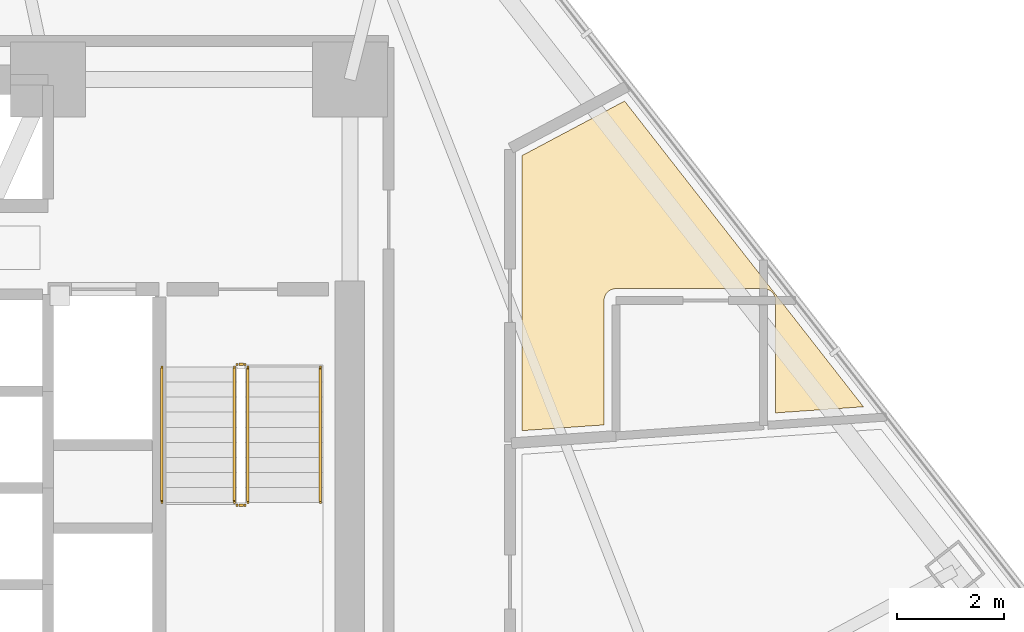
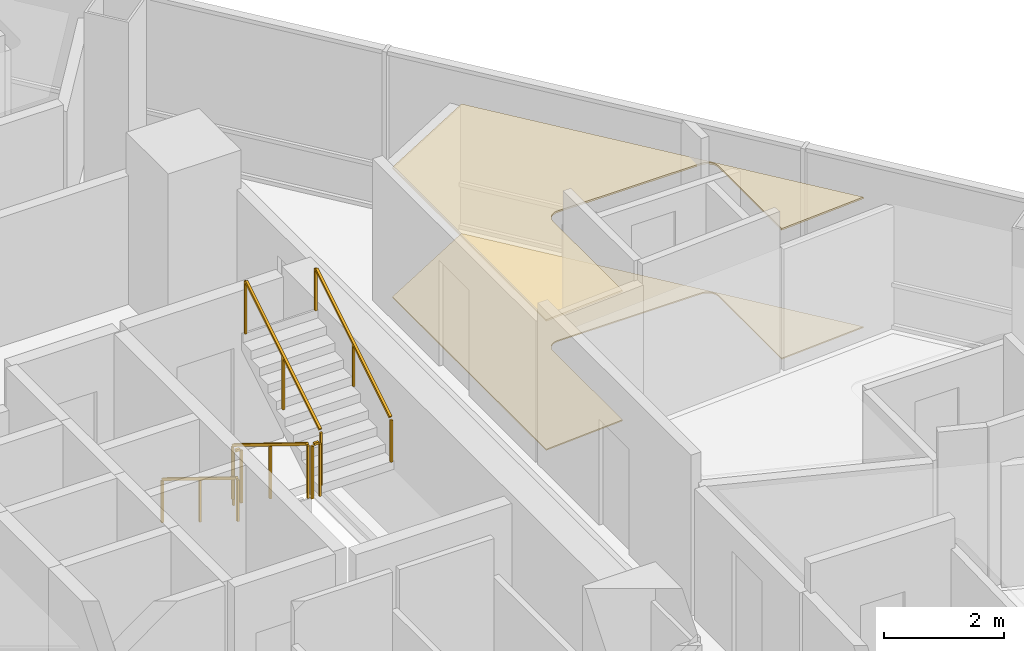
# One storey, part 15 of 16: 6 railings, 2 coverings.
"""IFC4 building model written with IfcOpenShell, lengths in metres."""

from ifc_helpers import new_model, si_unit, direction, frame, origin, origin_2d, place, context, subcontext, project, spatial, polyline, rectangle, outline, extrude, material, layer, layer_set, type_object, element, save


model = new_model("IFC4")

# Units and contexts
model_context = context("Model", 3, precision=1e-05, world=origin(), true_north=direction((0.0, 1.0)))
body_context = subcontext(model_context, "Body", "Model", "MODEL_VIEW")
ifc_project = project(units=[si_unit("LENGTHUNIT", "METRE"), si_unit("AREAUNIT", "SQUARE_METRE"), si_unit("VOLUMEUNIT", "CUBIC_METRE"), si_unit("PLANEANGLEUNIT", "RADIAN"), si_unit("MASSUNIT", "GRAM", prefix="KILO")], contexts=[model_context])

# Site, building, storey
site_placement = place(None, origin())
site = spatial("IfcSite", under=ifc_project, at=site_placement, CompositionType="ELEMENT")
building_placement = place(site_placement, origin())
building = spatial("IfcBuilding", under=site, at=building_placement, Name="Tharavind Bronze Gate", CompositionType="ELEMENT")
storey_placement = place(building_placement, frame((0.0, 0.0, 70.75)))
storey = spatial("IfcBuildingStorey", under=building, at=storey_placement, Name="L17", CompositionType="ELEMENT", Elevation=70.75)

# Coverings
ifc_material_1 = material(Name="Engineered Oak & Carpet Tile", Category="wood")
ifc_layer_1 = layer(ifc_material_1, 0.02490234375)
ifc_layer_set_1 = layer_set([ifc_layer_1], Name="Engineered Oak & Carpet Tile")
covering_type_1 = type_object("IfcCoveringType", Name="ENGINEERED TIMBER FLOORING", PredefinedType="FLOORING", material=ifc_layer_set_1)
covering_1_placement = place(storey_placement, origin())
element("IfcCovering", 1, at=covering_1_placement, inside=storey, type_object=covering_type_1, Name="L17-RM-01 floor finish", PredefinedType="FLOORING", context=body_context, shape_type="SweptSolid", body=[
    extrude(outline(polyline([(13.6298828125, 1.173583984375), (13.6298828125, 3.489013671875), (13.631103515625, 3.5107421875), (13.63427734375, 3.531982421875), (13.639404296875, 3.552978515625), (13.646728515625, 3.5732421875), (13.656005859375, 3.5927734375), (13.6669921875, 3.611328125), (13.679931640625, 3.628662109375), (13.6943359375, 3.644775390625), (13.71044921875, 3.6591796875), (13.727783203125, 3.672119140625), (13.746337890625, 3.68310546875), (13.765869140625, 3.6923828125), (13.7861328125, 3.69970703125), (13.80712890625, 3.704833984375), (13.828369140625, 3.7080078125), (13.85009765625, 3.708984375), (16.60009765625, 3.708984375), (16.62158203125, 3.7080078125), (16.642822265625, 3.704833984375), (16.663818359375, 3.69970703125), (16.68408203125, 3.6923828125), (16.70361328125, 3.68310546875), (16.72216796875, 3.672119140625), (16.739501953125, 3.6591796875), (16.755615234375, 3.644775390625), (16.77001953125, 3.628662109375), (16.782958984375, 3.611328125), (16.7939453125, 3.5927734375), (16.80322265625, 3.5732421875), (16.810546875, 3.552978515625), (16.81591796875, 3.531982421875), (16.81884765625, 3.5107421875), (16.820068359375, 3.489013671875), (16.820068359375, 1.396728515625), (18.457275390625, 1.51123046875), (14.01171875, 7.200927734375), (12.10009765625, 6.1845703125), (12.10009765625, 1.066650390625), (13.6298828125, 1.173583984375)])), origin(), (0.0, 0.0, 1.0), 0.02490234375),
])
ifc_material_2 = material(Name="Acoustic Gypsum Board", Category="gypsum")
ifc_layer_2 = layer(ifc_material_2, 0.030029296875)
ifc_layer_set_2 = layer_set([ifc_layer_2], Name="Acoustic Gypsum Board")
covering_type_2 = type_object("IfcCoveringType", Name="GYPSUM SUSPENDED CEILING", PredefinedType="CEILING", material=ifc_layer_set_2)
covering_2_placement = place(storey_placement, frame((0.0, 0.0, 2.625)))
element("IfcCovering", 2, at=covering_2_placement, inside=storey, type_object=covering_type_2, Name="L17-RM-01 suspended ceiling", PredefinedType="CEILING", context=body_context, shape_type="SweptSolid", body=[
    extrude(outline(polyline([(13.6298828125, 1.173583984375), (13.6298828125, 3.489013671875), (13.631103515625, 3.5107421875), (13.63427734375, 3.531982421875), (13.639404296875, 3.552978515625), (13.646728515625, 3.5732421875), (13.656005859375, 3.5927734375), (13.6669921875, 3.611328125), (13.679931640625, 3.628662109375), (13.6943359375, 3.644775390625), (13.71044921875, 3.6591796875), (13.727783203125, 3.672119140625), (13.746337890625, 3.68310546875), (13.765869140625, 3.6923828125), (13.7861328125, 3.69970703125), (13.80712890625, 3.704833984375), (13.828369140625, 3.7080078125), (13.85009765625, 3.708984375), (16.60009765625, 3.708984375), (16.62158203125, 3.7080078125), (16.642822265625, 3.704833984375), (16.663818359375, 3.69970703125), (16.68408203125, 3.6923828125), (16.70361328125, 3.68310546875), (16.72216796875, 3.672119140625), (16.739501953125, 3.6591796875), (16.755615234375, 3.644775390625), (16.77001953125, 3.628662109375), (16.782958984375, 3.611328125), (16.7939453125, 3.5927734375), (16.80322265625, 3.5732421875), (16.810546875, 3.552978515625), (16.81591796875, 3.531982421875), (16.81884765625, 3.5107421875), (16.820068359375, 3.489013671875), (16.820068359375, 1.396728515625), (18.457275390625, 1.51123046875), (14.01171875, 7.200927734375), (12.10009765625, 6.1845703125), (12.10009765625, 1.066650390625), (13.6298828125, 1.173583984375)])), origin(), (0.0, 0.0, 1.0), 0.034912109375),
])

# Railings
ifc_material_3 = material(Name="Brushed Bronze Alloy", Category="metal")
railing_type_1 = type_object("IfcRailingType", Name="STAIR BRONZE HANDRAIL 900", PredefinedType="HANDRAIL", material=ifc_material_3)
railing_1_placement = place(storey_placement, frame((5.39990234375, 2.25, 0.172607421875)))
element("IfcRailing", 3, at=railing_1_placement, inside=storey, type_object=railing_type_1, Name="L17 ST2 stair handrail 1", PredefinedType="HANDRAIL", context=body_context, shape_type="SweptSolid", body=[
    extrude(rectangle(XDim=0.048095703125, YDim=0.048095703125, at=origin_2d()), frame((0.0, -0.02734375, 0.892578125), z_axis=(0.0, -0.851400495292, 0.524516154772), x_axis=(1.0, 0.0, 0.0)), (0.0, 0.0, 1.0), 2.895751953125),
    extrude(rectangle(XDim=0.0400390625, YDim=0.0400390625, at=origin_2d()), origin(), (0.0, 0.0, 1.0), 0.847900390625),
    extrude(rectangle(XDim=0.0400390625, YDim=0.0400390625, at=origin_2d()), frame((0.0, -1.260009765625, 0.7763671875)), (0.0, 0.0, 1.0), 0.847900390625),
    extrude(rectangle(XDim=0.0400390625, YDim=0.0400390625, at=origin_2d()), frame((0.0, -2.52001953125, 1.552490234375)), (0.0, 0.0, 1.0), 0.847900390625),
])
railing_2_placement = place(storey_placement, frame((8.35009765625, -0.27001953125, 1.8974609375)))
element("IfcRailing", 4, at=railing_2_placement, inside=storey, type_object=railing_type_1, Name="L17 ST2 stair handrail 2", PredefinedType="HANDRAIL", context=body_context, shape_type="SweptSolid", body=[
    extrude(rectangle(XDim=0.048095703125, YDim=0.048095703125, at=origin_2d()), frame((0.0, 0.02734375, 0.892578125), z_axis=(0.0, 0.851400495292, 0.524516154772), x_axis=(-1.0, 0.0, 0.0)), (0.0, 0.0, 1.0), 2.895751953125),
    extrude(rectangle(XDim=0.0400390625, YDim=0.0400390625, at=origin_2d()), origin(), (0.0, 0.0, 1.0), 0.847900390625),
    extrude(rectangle(XDim=0.0400390625, YDim=0.0400390625, at=origin_2d()), frame((0.0, 1.260009765625, 0.7763671875)), (0.0, 0.0, 1.0), 0.847900390625),
    extrude(rectangle(XDim=0.0400390625, YDim=0.0400390625, at=origin_2d()), frame((0.0, 2.52001953125, 1.552490234375)), (0.0, 0.0, 1.0), 0.847900390625),
])
railing_type_2 = type_object("IfcRailingType", Name="STAIR WELL GUARD RAILING 1120", PredefinedType="GUARDRAIL", material=ifc_material_3)
railing_3_placement = place(storey_placement, frame((6.75, 2.25, 0.172607421875)))
element("IfcRailing", 5, at=railing_3_placement, inside=storey, type_object=railing_type_2, Name="L17 ST2 stair guard 1", PredefinedType="GUARDRAIL", context=body_context, shape_type="SweptSolid", body=[
    extrude(rectangle(XDim=0.048095703125, YDim=0.048095703125, at=origin_2d()), frame((0.0, -0.02734375, 1.11279296875), z_axis=(0.0, -0.851400495292, 0.524516154772), x_axis=(1.0, 0.0, 0.0)), (0.0, 0.0, 1.0), 2.895751953125),
    extrude(rectangle(XDim=0.0400390625, YDim=0.0400390625, at=origin_2d()), origin(), (0.0, 0.0, 1.0), 1.068115234375),
    extrude(rectangle(XDim=0.0400390625, YDim=0.0400390625, at=origin_2d()), frame((0.0, -1.260009765625, 0.7763671875)), (0.0, 0.0, 1.0), 1.068115234375),
    extrude(rectangle(XDim=0.0400390625, YDim=0.0400390625, at=origin_2d()), frame((0.0, -2.52001953125, 1.552490234375)), (0.0, 0.0, 1.0), 1.068115234375),
])
railing_4_placement = place(storey_placement, frame((6.800048828125, -0.320068359375, 1.72509765625)))
element("IfcRailing", 6, at=railing_4_placement, inside=storey, type_object=railing_type_2, Name="L17 ST2 stair guard 2", PredefinedType="GUARDRAIL", context=body_context, shape_type="SweptSolid", body=[
    extrude(rectangle(XDim=0.048095703125, YDim=0.048095703125, at=origin_2d()), frame((0.031982421875, 0.0, 1.09619140625), z_axis=(1.0, 0.0, 0.0), x_axis=(0.0, 1.0, 0.0)), (0.0, 0.0, 1.0), 0.0859375),
    extrude(rectangle(XDim=0.0400390625, YDim=0.0400390625, at=origin_2d()), origin(), (0.0, 0.0, 1.0), 1.068115234375),
    extrude(rectangle(XDim=0.0400390625, YDim=0.0400390625, at=origin_2d()), frame((0.14990234375, 0.0, 0.0)), (0.0, 0.0, 1.0), 1.068115234375),
])
railing_5_placement = place(storey_placement, frame((7.0, -0.27001953125, 1.8974609375)))
element("IfcRailing", 7, at=railing_5_placement, inside=storey, type_object=railing_type_2, Name="L17 ST2 stair guard 3", PredefinedType="GUARDRAIL", context=body_context, shape_type="SweptSolid", body=[
    extrude(rectangle(XDim=0.048095703125, YDim=0.048095703125, at=origin_2d()), frame((0.0, 0.02734375, 1.11279296875), z_axis=(0.0, 0.851400495292, 0.524516154772), x_axis=(-1.0, 0.0, 0.0)), (0.0, 0.0, 1.0), 2.895751953125),
    extrude(rectangle(XDim=0.0400390625, YDim=0.0400390625, at=origin_2d()), origin(), (0.0, 0.0, 1.0), 1.068115234375),
    extrude(rectangle(XDim=0.0400390625, YDim=0.0400390625, at=origin_2d()), frame((0.0, 1.260009765625, 0.7763671875)), (0.0, 0.0, 1.0), 1.068115234375),
    extrude(rectangle(XDim=0.0400390625, YDim=0.0400390625, at=origin_2d()), frame((0.0, 2.52001953125, 1.552490234375)), (0.0, 0.0, 1.0), 1.068115234375),
])
railing_6_placement = place(storey_placement, frame((6.800048828125, 2.300048828125, 0.0)))
element("IfcRailing", 8, at=railing_6_placement, inside=storey, type_object=railing_type_2, Name="L17 ST2 stair guard 4", PredefinedType="GUARDRAIL", context=body_context, shape_type="SweptSolid", body=[
    extrude(rectangle(XDim=0.048095703125, YDim=0.048095703125, at=origin_2d()), frame((0.031982421875, 0.0, 1.09619140625), z_axis=(1.0, 0.0, 0.0), x_axis=(0.0, 1.0, 0.0)), (0.0, 0.0, 1.0), 0.0859375),
    extrude(rectangle(XDim=0.0400390625, YDim=0.0400390625, at=origin_2d()), origin(), (0.0, 0.0, 1.0), 1.068115234375),
    extrude(rectangle(XDim=0.0400390625, YDim=0.0400390625, at=origin_2d()), frame((0.14990234375, 0.0, 0.0)), (0.0, 0.0, 1.0), 1.068115234375),
])

save(model, "model.ifc")
